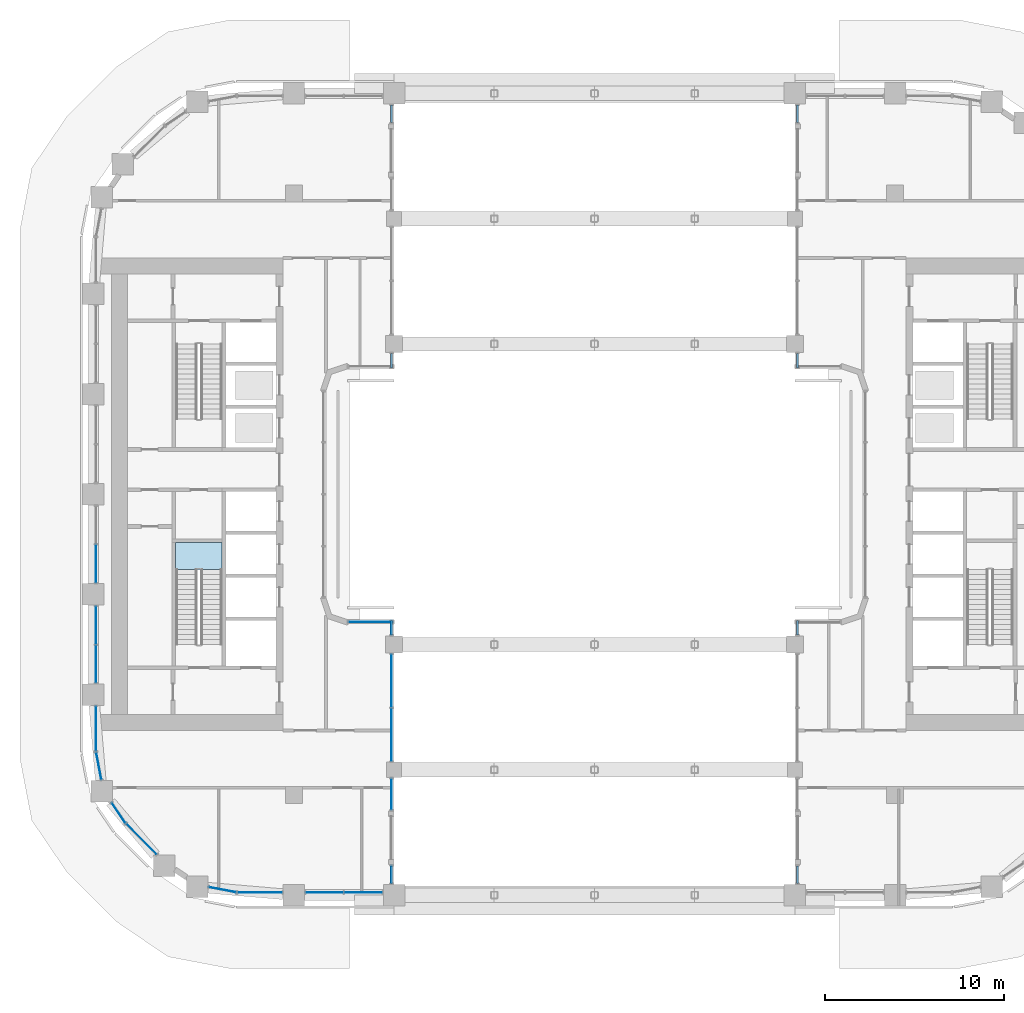
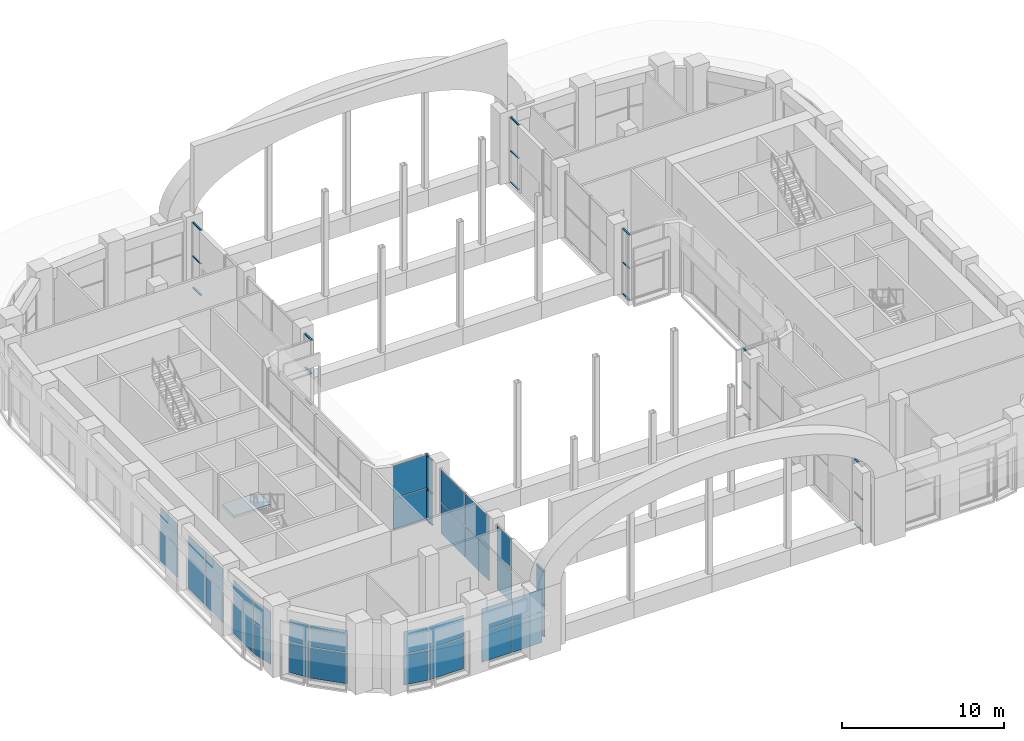
# One storey, part 11 of 28: 34 plates, 24 members, 1 slab, 21 elements without a shape of their own.
"""IFC4 building model written with IfcOpenShell, lengths in metres."""

from ifc_helpers import new_model, si_unit, direction, frame, origin, origin_2d, place, context, subcontext, project, spatial, polyline, rectangle, outline, extrude, material, layer, layer_set, material_profile, profile_set, type_object, element, aggregate, save


model = new_model("IFC4")

# Units and contexts
model_context = context("Model", 3, precision=1e-05, world=origin(), true_north=direction((0.0, 1.0)))
body_context = subcontext(model_context, "Body", "Model", "MODEL_VIEW")
ifc_project = project(units=[si_unit("LENGTHUNIT", "METRE"), si_unit("AREAUNIT", "SQUARE_METRE"), si_unit("VOLUMEUNIT", "CUBIC_METRE"), si_unit("PLANEANGLEUNIT", "RADIAN"), si_unit("MASSUNIT", "GRAM", prefix="KILO")], contexts=[model_context])

# Site, building, storey
site_placement = place(None, origin())
site = spatial("IfcSite", under=ifc_project, at=site_placement, CompositionType="ELEMENT")
building_placement = place(site_placement, origin())
building = spatial("IfcBuilding", under=site, at=building_placement, Name="Kiln Ring Residences", CompositionType="ELEMENT")
storey_placement = place(building_placement, frame((0.0, 0.0, 125.300048828125)))
storey = spatial("IfcBuildingStorey", under=building, at=storey_placement, Name="L32", CompositionType="ELEMENT", Elevation=125.300048828125)

# Curtain wall, members
ifc_material_1 = material(Name="Aluminium and glass", Category="aluminium")
ifc_layer_1 = layer(ifc_material_1, 0.199951171875)
ifc_layer_set_1 = layer_set([ifc_layer_1], Name="CW1 CURTAIN WALL")
curtain_wall_type = type_object("IfcCurtainWallType", Name="CW1 CURTAIN WALL", PredefinedType="NOTDEFINED", material=ifc_layer_set_1)
placement = place(storey_placement, origin())
curtain_wall_1 = element("IfcCurtainWall", 1, at=placement, inside=storey, type_object=curtain_wall_type, Name="Curtain wall CW1 L32", PredefinedType="NOTDEFINED")
ifc_material_2 = material(Name="Aluminium 6063-T6", Category="aluminium")
ifc_material_profile = material_profile(ifc_material_2, rectangle(XDim=0.1201171875, YDim=0.06005859375, at=origin_2d()), Name="AL 120x60")
ifc_profile_set = profile_set([ifc_material_profile], Name="Aluminium 6063-T6")
member_type = type_object("IfcMemberType", Name="CW1 TRANSOM 120 x 60", PredefinedType="USERDEFINED", material=ifc_profile_set)
member_1_placement = place(storey_placement, frame((-11.35009765625, -21.739990234375, 0.030029296875), z_axis=(0.0, 1.0, 0.0), x_axis=(-1.0, 0.0, 0.0)))
member_1 = element("IfcMember", 2, at=member_1_placement, type_object=member_type, Name="CW1 transom 1.1", ObjectType="TRANSOM", PredefinedType="USERDEFINED", context=body_context, shape_type="SweptSolid", body=[
    extrude(rectangle(XDim=0.1201171875, YDim=0.06005859375, at=origin_2d()), origin(), (0.0, 0.0, 1.0), 0.97998046875),
])
member_2_placement = place(storey_placement, frame((-11.35009765625, -21.739990234375, 2.39990234375), z_axis=(0.0, 1.0, 0.0), x_axis=(-1.0, 0.0, 0.0)))
member_2 = element("IfcMember", 3, at=member_2_placement, type_object=member_type, Name="CW1 transom 1.2", ObjectType="TRANSOM", PredefinedType="USERDEFINED", context=body_context, shape_type="SweptSolid", body=[
    extrude(rectangle(XDim=0.1201171875, YDim=0.06005859375, at=origin_2d()), origin(), (0.0, 0.0, 1.0), 0.97998046875),
])
member_3_placement = place(storey_placement, frame((-11.35009765625, -21.739990234375, 4.919921875), z_axis=(0.0, 1.0, 0.0), x_axis=(-1.0, 0.0, 0.0)))
member_3 = element("IfcMember", 4, at=member_3_placement, type_object=member_type, Name="CW1 transom 1.3", ObjectType="TRANSOM", PredefinedType="USERDEFINED", context=body_context, shape_type="SweptSolid", body=[
    extrude(rectangle(XDim=0.1201171875, YDim=0.06005859375, at=origin_2d()), origin(), (0.0, 0.0, 1.0), 0.97998046875),
])

curtain_wall_2 = element("IfcCurtainWall", 5, at=placement, inside=storey, type_object=curtain_wall_type, Name="Curtain wall CW1 L32", PredefinedType="NOTDEFINED")
member_4_placement = place(storey_placement, frame((-11.35009765625, -7.864990234375, 0.030029296875), z_axis=(0.0, 1.0, 0.0), x_axis=(-1.0, 0.0, 0.0)))
member_4 = element("IfcMember", 6, at=member_4_placement, type_object=member_type, Name="CW1 transom 1.1", ObjectType="TRANSOM", PredefinedType="USERDEFINED", context=body_context, shape_type="SweptSolid", body=[
    extrude(rectangle(XDim=0.1201171875, YDim=0.06005859375, at=origin_2d()), origin(), (0.0, 0.0, 1.0), 0.804931640625),
])
member_5_placement = place(storey_placement, frame((-11.35009765625, -7.864990234375, 2.39990234375), z_axis=(0.0, 1.0, 0.0), x_axis=(-1.0, 0.0, 0.0)))
member_5 = element("IfcMember", 7, at=member_5_placement, type_object=member_type, Name="CW1 transom 1.2", ObjectType="TRANSOM", PredefinedType="USERDEFINED", context=body_context, shape_type="SweptSolid", body=[
    extrude(rectangle(XDim=0.1201171875, YDim=0.06005859375, at=origin_2d()), origin(), (0.0, 0.0, 1.0), 0.804931640625),
])
member_6_placement = place(storey_placement, frame((-11.35009765625, -7.864990234375, 4.919921875), z_axis=(0.0, 1.0, 0.0), x_axis=(-1.0, 0.0, 0.0)))
member_6 = element("IfcMember", 8, at=member_6_placement, type_object=member_type, Name="CW1 transom 1.3", ObjectType="TRANSOM", PredefinedType="USERDEFINED", context=body_context, shape_type="SweptSolid", body=[
    extrude(rectangle(XDim=0.1201171875, YDim=0.06005859375, at=origin_2d()), origin(), (0.0, 0.0, 1.0), 0.804931640625),
])

curtain_wall_3 = element("IfcCurtainWall", 9, at=placement, inside=storey, type_object=curtain_wall_type, Name="Curtain wall CW1 L32", PredefinedType="NOTDEFINED")
member_7_placement = place(storey_placement, frame((-11.35009765625, 7.06005859375, 0.030029296875), z_axis=(0.0, 1.0, 0.0), x_axis=(-1.0, 0.0, 0.0)))
member_7 = element("IfcMember", 10, at=member_7_placement, type_object=member_type, Name="CW1 transom 1.1", ObjectType="TRANSOM", PredefinedType="USERDEFINED", context=body_context, shape_type="SweptSolid", body=[
    extrude(rectangle(XDim=0.1201171875, YDim=0.06005859375, at=origin_2d()), origin(), (0.0, 0.0, 1.0), 0.804931640625),
])
member_8_placement = place(storey_placement, frame((-11.35009765625, 7.06005859375, 2.39990234375), z_axis=(0.0, 1.0, 0.0), x_axis=(-1.0, 0.0, 0.0)))
member_8 = element("IfcMember", 11, at=member_8_placement, type_object=member_type, Name="CW1 transom 1.2", ObjectType="TRANSOM", PredefinedType="USERDEFINED", context=body_context, shape_type="SweptSolid", body=[
    extrude(rectangle(XDim=0.1201171875, YDim=0.06005859375, at=origin_2d()), origin(), (0.0, 0.0, 1.0), 0.804931640625),
])
member_9_placement = place(storey_placement, frame((-11.35009765625, 7.06005859375, 4.919921875), z_axis=(0.0, 1.0, 0.0), x_axis=(-1.0, 0.0, 0.0)))
member_9 = element("IfcMember", 12, at=member_9_placement, type_object=member_type, Name="CW1 transom 1.3", ObjectType="TRANSOM", PredefinedType="USERDEFINED", context=body_context, shape_type="SweptSolid", body=[
    extrude(rectangle(XDim=0.1201171875, YDim=0.06005859375, at=origin_2d()), origin(), (0.0, 0.0, 1.0), 0.804931640625),
])
aggregate(curtain_wall_3, [member_7, member_8, member_9])

curtain_wall_4 = element("IfcCurtainWall", 13, at=placement, inside=storey, type_object=curtain_wall_type, Name="Curtain wall CW1 L32", PredefinedType="NOTDEFINED")
member_10_placement = place(storey_placement, frame((-11.35009765625, 20.760009765625, 0.030029296875), z_axis=(0.0, 1.0, 0.0), x_axis=(-1.0, 0.0, 0.0)))
member_10 = element("IfcMember", 14, at=member_10_placement, type_object=member_type, Name="CW1 transom 1.1", ObjectType="TRANSOM", PredefinedType="USERDEFINED", context=body_context, shape_type="SweptSolid", body=[
    extrude(rectangle(XDim=0.1201171875, YDim=0.06005859375, at=origin_2d()), origin(), (0.0, 0.0, 1.0), 0.97998046875),
])
member_11_placement = place(storey_placement, frame((-11.35009765625, 20.760009765625, 2.39990234375), z_axis=(0.0, 1.0, 0.0), x_axis=(-1.0, 0.0, 0.0)))
member_11 = element("IfcMember", 15, at=member_11_placement, type_object=member_type, Name="CW1 transom 1.2", ObjectType="TRANSOM", PredefinedType="USERDEFINED", context=body_context, shape_type="SweptSolid", body=[
    extrude(rectangle(XDim=0.1201171875, YDim=0.06005859375, at=origin_2d()), origin(), (0.0, 0.0, 1.0), 0.97998046875),
])
member_12_placement = place(storey_placement, frame((-11.35009765625, 20.760009765625, 4.919921875), z_axis=(0.0, 1.0, 0.0), x_axis=(-1.0, 0.0, 0.0)))
member_12 = element("IfcMember", 16, at=member_12_placement, type_object=member_type, Name="CW1 transom 1.3", ObjectType="TRANSOM", PredefinedType="USERDEFINED", context=body_context, shape_type="SweptSolid", body=[
    extrude(rectangle(XDim=0.1201171875, YDim=0.06005859375, at=origin_2d()), origin(), (0.0, 0.0, 1.0), 0.97998046875),
])
aggregate(curtain_wall_4, [member_10, member_11, member_12])

curtain_wall_5 = element("IfcCurtainWall", 17, at=placement, inside=storey, type_object=curtain_wall_type, Name="Curtain wall CW1 L32", PredefinedType="NOTDEFINED")
member_13_placement = place(storey_placement, frame((11.35009765625, -7.06005859375, 0.030029296875), z_axis=(0.0, -1.0, 0.0), x_axis=(1.0, 0.0, 0.0)))
member_13 = element("IfcMember", 18, at=member_13_placement, type_object=member_type, Name="CW1 transom 1.1", ObjectType="TRANSOM", PredefinedType="USERDEFINED", context=body_context, shape_type="SweptSolid", body=[
    extrude(rectangle(XDim=0.1201171875, YDim=0.06005859375, at=origin_2d()), origin(), (0.0, 0.0, 1.0), 0.804931640625),
])
member_14_placement = place(storey_placement, frame((11.35009765625, -7.06005859375, 2.39990234375), z_axis=(0.0, -1.0, 0.0), x_axis=(1.0, 0.0, 0.0)))
member_14 = element("IfcMember", 19, at=member_14_placement, type_object=member_type, Name="CW1 transom 1.2", ObjectType="TRANSOM", PredefinedType="USERDEFINED", context=body_context, shape_type="SweptSolid", body=[
    extrude(rectangle(XDim=0.1201171875, YDim=0.06005859375, at=origin_2d()), origin(), (0.0, 0.0, 1.0), 0.804931640625),
])
member_15_placement = place(storey_placement, frame((11.35009765625, -7.06005859375, 4.919921875), z_axis=(0.0, -1.0, 0.0), x_axis=(1.0, 0.0, 0.0)))
member_15 = element("IfcMember", 20, at=member_15_placement, type_object=member_type, Name="CW1 transom 1.3", ObjectType="TRANSOM", PredefinedType="USERDEFINED", context=body_context, shape_type="SweptSolid", body=[
    extrude(rectangle(XDim=0.1201171875, YDim=0.06005859375, at=origin_2d()), origin(), (0.0, 0.0, 1.0), 0.804931640625),
])
aggregate(curtain_wall_5, [member_13, member_14, member_15])

curtain_wall_6 = element("IfcCurtainWall", 21, at=placement, inside=storey, type_object=curtain_wall_type, Name="Curtain wall CW1 L32", PredefinedType="NOTDEFINED")
member_16_placement = place(storey_placement, frame((11.35009765625, -20.760009765625, 0.030029296875), z_axis=(0.0, -1.0, 0.0), x_axis=(1.0, 0.0, 0.0)))
member_16 = element("IfcMember", 22, at=member_16_placement, type_object=member_type, Name="CW1 transom 1.1", ObjectType="TRANSOM", PredefinedType="USERDEFINED", context=body_context, shape_type="SweptSolid", body=[
    extrude(rectangle(XDim=0.1201171875, YDim=0.06005859375, at=origin_2d()), origin(), (0.0, 0.0, 1.0), 0.97998046875),
])
member_17_placement = place(storey_placement, frame((11.35009765625, -20.760009765625, 2.39990234375), z_axis=(0.0, -1.0, 0.0), x_axis=(1.0, 0.0, 0.0)))
member_17 = element("IfcMember", 23, at=member_17_placement, type_object=member_type, Name="CW1 transom 1.2", ObjectType="TRANSOM", PredefinedType="USERDEFINED", context=body_context, shape_type="SweptSolid", body=[
    extrude(rectangle(XDim=0.1201171875, YDim=0.06005859375, at=origin_2d()), origin(), (0.0, 0.0, 1.0), 0.97998046875),
])
member_18_placement = place(storey_placement, frame((11.35009765625, -20.760009765625, 4.919921875), z_axis=(0.0, -1.0, 0.0), x_axis=(1.0, 0.0, 0.0)))
member_18 = element("IfcMember", 24, at=member_18_placement, type_object=member_type, Name="CW1 transom 1.3", ObjectType="TRANSOM", PredefinedType="USERDEFINED", context=body_context, shape_type="SweptSolid", body=[
    extrude(rectangle(XDim=0.1201171875, YDim=0.06005859375, at=origin_2d()), origin(), (0.0, 0.0, 1.0), 0.97998046875),
])
aggregate(curtain_wall_6, [member_16, member_17, member_18])

curtain_wall_7 = element("IfcCurtainWall", 25, at=placement, inside=storey, type_object=curtain_wall_type, Name="Curtain wall CW1 L32", PredefinedType="NOTDEFINED")
member_19_placement = place(storey_placement, frame((11.35009765625, 21.739990234375, 0.030029296875), z_axis=(0.0, -1.0, 0.0), x_axis=(1.0, 0.0, 0.0)))
member_19 = element("IfcMember", 26, at=member_19_placement, type_object=member_type, Name="CW1 transom 1.1", ObjectType="TRANSOM", PredefinedType="USERDEFINED", context=body_context, shape_type="SweptSolid", body=[
    extrude(rectangle(XDim=0.1201171875, YDim=0.06005859375, at=origin_2d()), origin(), (0.0, 0.0, 1.0), 0.97998046875),
])
member_20_placement = place(storey_placement, frame((11.35009765625, 21.739990234375, 2.39990234375), z_axis=(0.0, -1.0, 0.0), x_axis=(1.0, 0.0, 0.0)))
member_20 = element("IfcMember", 27, at=member_20_placement, type_object=member_type, Name="CW1 transom 1.2", ObjectType="TRANSOM", PredefinedType="USERDEFINED", context=body_context, shape_type="SweptSolid", body=[
    extrude(rectangle(XDim=0.1201171875, YDim=0.06005859375, at=origin_2d()), origin(), (0.0, 0.0, 1.0), 0.97998046875),
])
member_21_placement = place(storey_placement, frame((11.35009765625, 21.739990234375, 4.919921875), z_axis=(0.0, -1.0, 0.0), x_axis=(1.0, 0.0, 0.0)))
member_21 = element("IfcMember", 28, at=member_21_placement, type_object=member_type, Name="CW1 transom 1.3", ObjectType="TRANSOM", PredefinedType="USERDEFINED", context=body_context, shape_type="SweptSolid", body=[
    extrude(rectangle(XDim=0.1201171875, YDim=0.06005859375, at=origin_2d()), origin(), (0.0, 0.0, 1.0), 0.97998046875),
])
aggregate(curtain_wall_7, [member_19, member_20, member_21])

curtain_wall_8 = element("IfcCurtainWall", 29, at=placement, inside=storey, type_object=curtain_wall_type, Name="Curtain wall CW1 L32", PredefinedType="NOTDEFINED")
member_22_placement = place(storey_placement, frame((11.35009765625, 7.864990234375, 0.030029296875), z_axis=(0.0, -1.0, 0.0), x_axis=(1.0, 0.0, 0.0)))
member_22 = element("IfcMember", 30, at=member_22_placement, type_object=member_type, Name="CW1 transom 1.1", ObjectType="TRANSOM", PredefinedType="USERDEFINED", context=body_context, shape_type="SweptSolid", body=[
    extrude(rectangle(XDim=0.1201171875, YDim=0.06005859375, at=origin_2d()), origin(), (0.0, 0.0, 1.0), 0.804931640625),
])
member_23_placement = place(storey_placement, frame((11.35009765625, 7.864990234375, 2.39990234375), z_axis=(0.0, -1.0, 0.0), x_axis=(1.0, 0.0, 0.0)))
member_23 = element("IfcMember", 31, at=member_23_placement, type_object=member_type, Name="CW1 transom 1.2", ObjectType="TRANSOM", PredefinedType="USERDEFINED", context=body_context, shape_type="SweptSolid", body=[
    extrude(rectangle(XDim=0.1201171875, YDim=0.06005859375, at=origin_2d()), origin(), (0.0, 0.0, 1.0), 0.804931640625),
])
member_24_placement = place(storey_placement, frame((11.35009765625, 7.864990234375, 4.919921875), z_axis=(0.0, -1.0, 0.0), x_axis=(1.0, 0.0, 0.0)))
member_24 = element("IfcMember", 32, at=member_24_placement, type_object=member_type, Name="CW1 transom 1.3", ObjectType="TRANSOM", PredefinedType="USERDEFINED", context=body_context, shape_type="SweptSolid", body=[
    extrude(rectangle(XDim=0.1201171875, YDim=0.06005859375, at=origin_2d()), origin(), (0.0, 0.0, 1.0), 0.804931640625),
])
aggregate(curtain_wall_8, [member_22, member_23, member_24])

# Stair, slab
ifc_material_3 = material(Name="Concrete C40/50", Category="concrete")
stair_type = type_object("IfcStairType", Name="CORE-STAIR", PredefinedType="HALF_TURN_STAIR", material=ifc_material_3)
stair = element("IfcStair", 33, at=placement, inside=storey, type_object=stair_type, Name="L32 stair W-STS", PredefinedType="HALF_TURN_STAIR")
ifc_material_4 = material(Name="Concrete C40/50", Category="concrete")
ifc_layer_2 = layer(ifc_material_4, 0.199951171875)
ifc_layer_set_2 = layer_set([ifc_layer_2], Name="CORE-STAIR-LANDING")
slab_type = type_object("IfcSlabType", Name="CORE-STAIR-LANDING", PredefinedType="LANDING", material=ifc_layer_set_2)
slab_placement = place(storey_placement, frame((0.0, 0.0, 2.5)))
slab = element("IfcSlab", 34, at=slab_placement, type_object=slab_type, Name="W-STS landing 1", PredefinedType="LANDING", context=body_context, shape_type="SweptSolid", body=[
    extrude(outline(polyline([(-20.800048828125, -4.199951171875), (-20.800048828125, -2.699951171875), (-23.39990234375, -2.699951171875), (-23.39990234375, -4.199951171875), (-20.800048828125, -4.199951171875)])), origin(), (0.0, 0.0, 1.0), 0.199951171875),
])
aggregate(stair, [slab])

# Curtain wall, plates
curtain_wall_9 = element("IfcCurtainWall", 35, at=placement, inside=storey, type_object=curtain_wall_type, Name="Curtain wall CW1 L32", PredefinedType="NOTDEFINED")
ifc_material_5 = material(Name="Glass, low-e laminated", Category="glass")
ifc_layer_3 = layer(ifc_material_5, 0.028076171875)
ifc_layer_set_3 = layer_set([ifc_layer_3], Name="CW1 PANEL 28")
plate_type = type_object("IfcPlateType", Name="CW1 PANEL 28", PredefinedType="CURTAIN_PANEL", material=ifc_layer_set_3)
plate_1_placement = place(storey_placement, frame((-27.697509765625, -15.185302734375, 0.059814453125), z_axis=(0.0, 0.0, 1.0), x_axis=(0.187365550262, -0.982290257803, 0.0)))
plate_1 = element("IfcPlate", 36, at=plate_1_placement, type_object=plate_type, Name="CW1 panel 1.1", PredefinedType="CURTAIN_PANEL", context=body_context, shape_type="SweptSolid", body=[
    extrude(rectangle(XDim=1.5361328125, YDim=0.028076171875, at=origin_2d()), origin(), (0.0, 0.0, 1.0), 2.31005859375),
])
plate_2_placement = place(storey_placement, frame((-27.697509765625, -15.185302734375, 2.43017578125), z_axis=(0.0, 0.0, 1.0), x_axis=(0.187365550262, -0.982290257803, 0.0)))
plate_2 = element("IfcPlate", 37, at=plate_2_placement, type_object=plate_type, Name="CW1 panel 1.2", PredefinedType="CURTAIN_PANEL", context=body_context, shape_type="SweptSolid", body=[
    extrude(rectangle(XDim=1.5361328125, YDim=0.028076171875, at=origin_2d()), origin(), (0.0, 0.0, 1.0), 1.659912109375),
])
aggregate(curtain_wall_9, [plate_1, plate_2])

curtain_wall_10 = element("IfcCurtainWall", 38, at=placement, inside=storey, type_object=curtain_wall_type, Name="Curtain wall CW1 L32", PredefinedType="NOTDEFINED")
plate_3_placement = place(storey_placement, frame((-26.588134765625, -17.810791015625, 0.059814453125), z_axis=(0.0, 0.0, 1.0), x_axis=(0.562096651409, -0.827071553419, 0.0)))
plate_3 = element("IfcPlate", 39, at=plate_3_placement, type_object=plate_type, Name="CW1 panel 1.1", PredefinedType="CURTAIN_PANEL", context=body_context, shape_type="SweptSolid", body=[
    extrude(rectangle(XDim=1.335693359375, YDim=0.028076171875, at=origin_2d()), origin(), (0.0, 0.0, 1.0), 2.31005859375),
])
plate_4_placement = place(storey_placement, frame((-26.588134765625, -17.810791015625, 2.43017578125), z_axis=(0.0, 0.0, 1.0), x_axis=(0.562096651409, -0.827071553419, 0.0)))
plate_4 = element("IfcPlate", 40, at=plate_4_placement, type_object=plate_type, Name="CW1 panel 1.2", PredefinedType="CURTAIN_PANEL", context=body_context, shape_type="SweptSolid", body=[
    extrude(rectangle(XDim=1.335693359375, YDim=0.028076171875, at=origin_2d()), origin(), (0.0, 0.0, 1.0), 1.659912109375),
])
aggregate(curtain_wall_10, [plate_3, plate_4])

curtain_wall_11 = element("IfcCurtainWall", 41, at=placement, inside=storey, type_object=curtain_wall_type, Name="Curtain wall CW1 L32", PredefinedType="NOTDEFINED")
plate_5_placement = place(storey_placement, frame((-25.3125, -19.275390625, 0.059814453125), z_axis=(0.0, 0.0, 1.0), x_axis=(0.707106781187, -0.707106781187, 0.0)))
plate_5 = element("IfcPlate", 42, at=plate_5_placement, type_object=plate_type, Name="CW1 panel 1.1", PredefinedType="CURTAIN_PANEL", context=body_context, shape_type="SweptSolid", body=[
    extrude(rectangle(XDim=2.381591796875, YDim=0.028076171875, at=origin_2d()), origin(), (0.0, 0.0, 1.0), 2.31005859375),
])
plate_6_placement = place(storey_placement, frame((-25.3125, -19.275390625, 2.43017578125), z_axis=(0.0, 0.0, 1.0), x_axis=(0.707106781187, -0.707106781187, 0.0)))
plate_6 = element("IfcPlate", 43, at=plate_6_placement, type_object=plate_type, Name="CW1 panel 1.2", PredefinedType="CURTAIN_PANEL", context=body_context, shape_type="SweptSolid", body=[
    extrude(rectangle(XDim=2.381591796875, YDim=0.028076171875, at=origin_2d()), origin(), (0.0, 0.0, 1.0), 1.659912109375),
])
aggregate(curtain_wall_11, [plate_5, plate_6])

curtain_wall_12 = element("IfcCurtainWall", 44, at=placement, inside=storey, type_object=curtain_wall_type, Name="Curtain wall CW1 L32", PredefinedType="NOTDEFINED")
plate_7_placement = place(storey_placement, frame((-20.785400390625, -22.097412109375, 0.059814453125), z_axis=(0.0, 0.0, 1.0), x_axis=(0.982290257803, -0.187365550262, 0.0)))
plate_7 = element("IfcPlate", 45, at=plate_7_placement, type_object=plate_type, Name="CW1 panel 1.1", PredefinedType="CURTAIN_PANEL", context=body_context, shape_type="SweptSolid", body=[
    extrude(rectangle(XDim=1.5361328125, YDim=0.028076171875, at=origin_2d()), origin(), (0.0, 0.0, 1.0), 2.31005859375),
])
plate_8_placement = place(storey_placement, frame((-20.785400390625, -22.097412109375, 2.43017578125), z_axis=(0.0, 0.0, 1.0), x_axis=(0.982290257803, -0.187365550262, 0.0)))
plate_8 = element("IfcPlate", 46, at=plate_8_placement, type_object=plate_type, Name="CW1 panel 1.2", PredefinedType="CURTAIN_PANEL", context=body_context, shape_type="SweptSolid", body=[
    extrude(rectangle(XDim=1.5361328125, YDim=0.028076171875, at=origin_2d()), origin(), (0.0, 0.0, 1.0), 1.659912109375),
])
aggregate(curtain_wall_12, [plate_7, plate_8])

curtain_wall_13 = element("IfcCurtainWall", 47, at=placement, inside=storey, type_object=curtain_wall_type, Name="Curtain wall CW1 L32", PredefinedType="NOTDEFINED")
plate_9_placement = place(storey_placement, frame((-18.699951171875, -22.25, 0.059814453125), z_axis=(0.0, 0.0, 1.0), x_axis=(1.0, 0.0, 0.0)))
plate_9 = element("IfcPlate", 48, at=plate_9_placement, type_object=plate_type, Name="CW1 panel 1.1", PredefinedType="CURTAIN_PANEL", context=body_context, shape_type="SweptSolid", body=[
    extrude(rectangle(XDim=2.47998046875, YDim=0.028076171875, at=origin_2d()), origin(), (0.0, 0.0, 1.0), 2.31005859375),
])
plate_10_placement = place(storey_placement, frame((-18.699951171875, -22.25, 2.43017578125), z_axis=(0.0, 0.0, 1.0), x_axis=(1.0, 0.0, 0.0)))
plate_10 = element("IfcPlate", 49, at=plate_10_placement, type_object=plate_type, Name="CW1 panel 1.2", PredefinedType="CURTAIN_PANEL", context=body_context, shape_type="SweptSolid", body=[
    extrude(rectangle(XDim=2.47998046875, YDim=0.028076171875, at=origin_2d()), origin(), (0.0, 0.0, 1.0), 1.659912109375),
])
aggregate(curtain_wall_13, [plate_9, plate_10])

curtain_wall_14 = element("IfcCurtainWall", 50, at=placement, inside=storey, type_object=curtain_wall_type, Name="Curtain wall CW1 L32", PredefinedType="NOTDEFINED")
plate_11_placement = place(storey_placement, frame((-15.0849609375, -22.25, 0.059814453125), z_axis=(0.0, 0.0, 1.0), x_axis=(1.0, 0.0, 0.0)))
plate_11 = element("IfcPlate", 51, at=plate_11_placement, type_object=plate_type, Name="CW1 panel 1.1", PredefinedType="CURTAIN_PANEL", context=body_context, shape_type="SweptSolid", body=[
    extrude(rectangle(XDim=2.110107421875, YDim=0.028076171875, at=origin_2d()), origin(), (0.0, 0.0, 1.0), 2.31005859375),
])
plate_12_placement = place(storey_placement, frame((-15.0849609375, -22.25, 2.43017578125), z_axis=(0.0, 0.0, 1.0), x_axis=(1.0, 0.0, 0.0)))
plate_12 = element("IfcPlate", 52, at=plate_12_placement, type_object=plate_type, Name="CW1 panel 1.2", PredefinedType="CURTAIN_PANEL", context=body_context, shape_type="SweptSolid", body=[
    extrude(rectangle(XDim=2.110107421875, YDim=0.028076171875, at=origin_2d()), origin(), (0.0, 0.0, 1.0), 1.659912109375),
])
plate_13_placement = place(storey_placement, frame((-12.9150390625, -22.25, 0.059814453125), z_axis=(0.0, 0.0, 1.0), x_axis=(1.0, 0.0, 0.0)))
plate_13 = element("IfcPlate", 53, at=plate_13_placement, type_object=plate_type, Name="CW1 panel 2.1", PredefinedType="CURTAIN_PANEL", context=body_context, shape_type="SweptSolid", body=[
    extrude(rectangle(XDim=2.110107421875, YDim=0.028076171875, at=origin_2d()), origin(), (0.0, 0.0, 1.0), 2.31005859375),
])
plate_14_placement = place(storey_placement, frame((-12.9150390625, -22.25, 2.43017578125), z_axis=(0.0, 0.0, 1.0), x_axis=(1.0, 0.0, 0.0)))
plate_14 = element("IfcPlate", 54, at=plate_14_placement, type_object=plate_type, Name="CW1 panel 2.2", PredefinedType="CURTAIN_PANEL", context=body_context, shape_type="SweptSolid", body=[
    extrude(rectangle(XDim=2.110107421875, YDim=0.028076171875, at=origin_2d()), origin(), (0.0, 0.0, 1.0), 1.659912109375),
])
aggregate(curtain_wall_14, [plate_11, plate_12, plate_13, plate_14])

# Plate
plate_15_placement = place(storey_placement, frame((-11.35009765625, -21.25, 0.059814453125), z_axis=(0.0, 0.0, 1.0), x_axis=(0.0, 1.0, 0.0)))
plate_15 = element("IfcPlate", 55, at=plate_15_placement, type_object=plate_type, Name="CW1 panel 1.1", PredefinedType="CURTAIN_PANEL", context=body_context, shape_type="SweptSolid", body=[
    extrude(rectangle(XDim=0.97998046875, YDim=0.028076171875, at=origin_2d()), origin(), (0.0, 0.0, 1.0), 2.31005859375),
])

plate_16_placement = place(storey_placement, frame((-11.35009765625, -21.25, 2.429931640625), z_axis=(0.0, 0.0, 1.0), x_axis=(0.0, 1.0, 0.0)))
plate_16 = element("IfcPlate", 56, at=plate_16_placement, type_object=plate_type, Name="CW1 panel 1.2", PredefinedType="CURTAIN_PANEL", context=body_context, shape_type="SweptSolid", body=[
    extrude(rectangle(XDim=0.97998046875, YDim=0.028076171875, at=origin_2d()), origin(), (0.0, 0.0, 1.0), 2.4599609375),
])

aggregate(curtain_wall_1, [member_1, member_2, member_3, plate_15, plate_16])

# Curtain wall, plates
curtain_wall_15 = element("IfcCurtainWall", 57, at=placement, inside=storey, type_object=curtain_wall_type, Name="Curtain wall CW1 L32", PredefinedType="NOTDEFINED")
plate_17_placement = place(storey_placement, frame((-11.35009765625, -16.762451171875, 0.059814453125), z_axis=(0.0, 0.0, 1.0), x_axis=(0.0, 1.0, 0.0)))
plate_17 = element("IfcPlate", 58, at=plate_17_placement, type_object=plate_type, Name="CW1 panel 1.1", PredefinedType="CURTAIN_PANEL", context=body_context, shape_type="SweptSolid", body=[
    extrude(rectangle(XDim=1.7548828125, YDim=0.028076171875, at=origin_2d()), origin(), (0.0, 0.0, 1.0), 2.31005859375),
])
plate_18_placement = place(storey_placement, frame((-11.35009765625, -16.762451171875, 2.429931640625), z_axis=(0.0, 0.0, 1.0), x_axis=(0.0, 1.0, 0.0)))
plate_18 = element("IfcPlate", 59, at=plate_18_placement, type_object=plate_type, Name="CW1 panel 1.2", PredefinedType="CURTAIN_PANEL", context=body_context, shape_type="SweptSolid", body=[
    extrude(rectangle(XDim=1.7548828125, YDim=0.028076171875, at=origin_2d()), origin(), (0.0, 0.0, 1.0), 2.4599609375),
])
aggregate(curtain_wall_15, [plate_17, plate_18])

curtain_wall_16 = element("IfcCurtainWall", 60, at=placement, inside=storey, type_object=curtain_wall_type, Name="Curtain wall CW1 L32", PredefinedType="NOTDEFINED")
plate_19_placement = place(storey_placement, frame((-11.35009765625, -13.43505859375, 0.059814453125), z_axis=(0.0, 0.0, 1.0), x_axis=(0.0, 1.0, 0.0)))
plate_19 = element("IfcPlate", 61, at=plate_19_placement, type_object=plate_type, Name="CW1 panel 1.1", PredefinedType="CURTAIN_PANEL", context=body_context, shape_type="SweptSolid", body=[
    extrude(rectangle(XDim=2.9599609375, YDim=0.028076171875, at=origin_2d()), origin(), (0.0, 0.0, 1.0), 2.31005859375),
])
plate_20_placement = place(storey_placement, frame((-11.35009765625, -13.43505859375, 2.429931640625), z_axis=(0.0, 0.0, 1.0), x_axis=(0.0, 1.0, 0.0)))
plate_20 = element("IfcPlate", 62, at=plate_20_placement, type_object=plate_type, Name="CW1 panel 1.2", PredefinedType="CURTAIN_PANEL", context=body_context, shape_type="SweptSolid", body=[
    extrude(rectangle(XDim=2.9599609375, YDim=0.028076171875, at=origin_2d()), origin(), (0.0, 0.0, 1.0), 2.4599609375),
])
plate_21_placement = place(storey_placement, frame((-11.35009765625, -10.4150390625, 0.059814453125), z_axis=(0.0, 0.0, 1.0), x_axis=(0.0, 1.0, 0.0)))
plate_21 = element("IfcPlate", 63, at=plate_21_placement, type_object=plate_type, Name="CW1 panel 2.1", PredefinedType="CURTAIN_PANEL", context=body_context, shape_type="SweptSolid", body=[
    extrude(rectangle(XDim=2.9599609375, YDim=0.028076171875, at=origin_2d()), origin(), (0.0, 0.0, 1.0), 2.31005859375),
])
plate_22_placement = place(storey_placement, frame((-11.35009765625, -10.4150390625, 2.429931640625), z_axis=(0.0, 0.0, 1.0), x_axis=(0.0, 1.0, 0.0)))
plate_22 = element("IfcPlate", 64, at=plate_22_placement, type_object=plate_type, Name="CW1 panel 2.2", PredefinedType="CURTAIN_PANEL", context=body_context, shape_type="SweptSolid", body=[
    extrude(rectangle(XDim=2.9599609375, YDim=0.028076171875, at=origin_2d()), origin(), (0.0, 0.0, 1.0), 2.4599609375),
])
aggregate(curtain_wall_16, [plate_19, plate_20, plate_21, plate_22])

# Plate
plate_23_placement = place(storey_placement, frame((-11.35009765625, -7.46240234375, 0.059814453125), z_axis=(0.0, 0.0, 1.0), x_axis=(0.0, 1.0, 0.0)))
plate_23 = element("IfcPlate", 65, at=plate_23_placement, type_object=plate_type, Name="CW1 panel 1.1", PredefinedType="CURTAIN_PANEL", context=body_context, shape_type="SweptSolid", body=[
    extrude(rectangle(XDim=0.804931640625, YDim=0.028076171875, at=origin_2d()), origin(), (0.0, 0.0, 1.0), 2.31005859375),
])

plate_24_placement = place(storey_placement, frame((-11.35009765625, -7.46240234375, 2.429931640625), z_axis=(0.0, 0.0, 1.0), x_axis=(0.0, 1.0, 0.0)))
plate_24 = element("IfcPlate", 66, at=plate_24_placement, type_object=plate_type, Name="CW1 panel 1.2", PredefinedType="CURTAIN_PANEL", context=body_context, shape_type="SweptSolid", body=[
    extrude(rectangle(XDim=0.804931640625, YDim=0.028076171875, at=origin_2d()), origin(), (0.0, 0.0, 1.0), 2.4599609375),
])

aggregate(curtain_wall_2, [member_4, member_5, member_6, plate_23, plate_24])

# Curtain wall, plates
curtain_wall_17 = element("IfcCurtainWall", 67, at=placement, inside=storey, type_object=curtain_wall_type, Name="Curtain wall CW1 L32", PredefinedType="NOTDEFINED")
plate_25_placement = place(storey_placement, frame((-12.5, -7.14990234375, 0.059814453125), z_axis=(0.0, 0.0, 1.0), x_axis=(-1.0, 0.0, 0.0)))
plate_25 = element("IfcPlate", 68, at=plate_25_placement, type_object=plate_type, Name="CW1 panel 1.1", PredefinedType="CURTAIN_PANEL", context=body_context, shape_type="SweptSolid", body=[
    extrude(rectangle(XDim=2.47998046875, YDim=0.028076171875, at=origin_2d()), origin(), (0.0, 0.0, 1.0), 2.31005859375),
])
plate_26_placement = place(storey_placement, frame((-12.5, -7.14990234375, 2.429931640625), z_axis=(0.0, 0.0, 1.0), x_axis=(-1.0, 0.0, 0.0)))
plate_26 = element("IfcPlate", 69, at=plate_26_placement, type_object=plate_type, Name="CW1 panel 1.2", PredefinedType="CURTAIN_PANEL", context=body_context, shape_type="SweptSolid", body=[
    extrude(rectangle(XDim=2.47998046875, YDim=0.028076171875, at=origin_2d()), origin(), (0.0, 0.0, 1.0), 2.4599609375),
])
aggregate(curtain_wall_17, [plate_25, plate_26])

curtain_wall_18 = element("IfcCurtainWall", 70, at=placement, inside=storey, type_object=curtain_wall_type, Name="Curtain wall CW1 L32", PredefinedType="NOTDEFINED")
plate_27_placement = place(storey_placement, frame((-27.85009765625, -3.885009765625, 0.059814453125), z_axis=(0.0, 0.0, 1.0), x_axis=(0.0, -1.0, 0.0)))
plate_27 = element("IfcPlate", 71, at=plate_27_placement, type_object=plate_type, Name="CW1 panel 2.1", PredefinedType="CURTAIN_PANEL", context=body_context, shape_type="SweptSolid", body=[
    extrude(rectangle(XDim=2.110107421875, YDim=0.028076171875, at=origin_2d()), origin(), (0.0, 0.0, 1.0), 2.31005859375),
])
plate_28_placement = place(storey_placement, frame((-27.85009765625, -3.885009765625, 2.43017578125), z_axis=(0.0, 0.0, 1.0), x_axis=(0.0, -1.0, 0.0)))
plate_28 = element("IfcPlate", 72, at=plate_28_placement, type_object=plate_type, Name="CW1 panel 2.2", PredefinedType="CURTAIN_PANEL", context=body_context, shape_type="SweptSolid", body=[
    extrude(rectangle(XDim=2.110107421875, YDim=0.028076171875, at=origin_2d()), origin(), (0.0, 0.0, 1.0), 1.659912109375),
])
aggregate(curtain_wall_18, [plate_27, plate_28])

curtain_wall_19 = element("IfcCurtainWall", 73, at=placement, inside=storey, type_object=curtain_wall_type, Name="Curtain wall CW1 L32", PredefinedType="NOTDEFINED")
plate_29_placement = place(storey_placement, frame((-27.85009765625, -7.31494140625, 0.059814453125), z_axis=(0.0, 0.0, 1.0), x_axis=(0.0, -1.0, 0.0)))
plate_29 = element("IfcPlate", 74, at=plate_29_placement, type_object=plate_type, Name="CW1 panel 1.1", PredefinedType="CURTAIN_PANEL", context=body_context, shape_type="SweptSolid", body=[
    extrude(rectangle(XDim=2.110107421875, YDim=0.028076171875, at=origin_2d()), origin(), (0.0, 0.0, 1.0), 2.31005859375),
])
plate_30_placement = place(storey_placement, frame((-27.85009765625, -7.31494140625, 2.43017578125), z_axis=(0.0, 0.0, 1.0), x_axis=(0.0, -1.0, 0.0)))
plate_30 = element("IfcPlate", 75, at=plate_30_placement, type_object=plate_type, Name="CW1 panel 1.2", PredefinedType="CURTAIN_PANEL", context=body_context, shape_type="SweptSolid", body=[
    extrude(rectangle(XDim=2.110107421875, YDim=0.028076171875, at=origin_2d()), origin(), (0.0, 0.0, 1.0), 1.659912109375),
])
plate_31_placement = place(storey_placement, frame((-27.85009765625, -9.485107421875, 0.059814453125), z_axis=(0.0, 0.0, 1.0), x_axis=(0.0, -1.0, 0.0)))
plate_31 = element("IfcPlate", 76, at=plate_31_placement, type_object=plate_type, Name="CW1 panel 2.1", PredefinedType="CURTAIN_PANEL", context=body_context, shape_type="SweptSolid", body=[
    extrude(rectangle(XDim=2.110107421875, YDim=0.028076171875, at=origin_2d()), origin(), (0.0, 0.0, 1.0), 2.31005859375),
])
plate_32_placement = place(storey_placement, frame((-27.85009765625, -9.485107421875, 2.43017578125), z_axis=(0.0, 0.0, 1.0), x_axis=(0.0, -1.0, 0.0)))
plate_32 = element("IfcPlate", 77, at=plate_32_placement, type_object=plate_type, Name="CW1 panel 2.2", PredefinedType="CURTAIN_PANEL", context=body_context, shape_type="SweptSolid", body=[
    extrude(rectangle(XDim=2.110107421875, YDim=0.028076171875, at=origin_2d()), origin(), (0.0, 0.0, 1.0), 1.659912109375),
])
aggregate(curtain_wall_19, [plate_29, plate_30, plate_31, plate_32])

curtain_wall_20 = element("IfcCurtainWall", 78, at=placement, inside=storey, type_object=curtain_wall_type, Name="Curtain wall CW1 L32", PredefinedType="NOTDEFINED")
plate_33_placement = place(storey_placement, frame((-27.85009765625, -13.10009765625, 0.059814453125), z_axis=(0.0, 0.0, 1.0), x_axis=(0.0, -1.0, 0.0)))
plate_33 = element("IfcPlate", 79, at=plate_33_placement, type_object=plate_type, Name="CW1 panel 1.1", PredefinedType="CURTAIN_PANEL", context=body_context, shape_type="SweptSolid", body=[
    extrude(rectangle(XDim=2.47998046875, YDim=0.028076171875, at=origin_2d()), origin(), (0.0, 0.0, 1.0), 2.31005859375),
])
plate_34_placement = place(storey_placement, frame((-27.85009765625, -13.10009765625, 2.43017578125), z_axis=(0.0, 0.0, 1.0), x_axis=(0.0, -1.0, 0.0)))
plate_34 = element("IfcPlate", 80, at=plate_34_placement, type_object=plate_type, Name="CW1 panel 1.2", PredefinedType="CURTAIN_PANEL", context=body_context, shape_type="SweptSolid", body=[
    extrude(rectangle(XDim=2.47998046875, YDim=0.028076171875, at=origin_2d()), origin(), (0.0, 0.0, 1.0), 1.659912109375),
])
aggregate(curtain_wall_20, [plate_33, plate_34])

save(model, "model.ifc")
